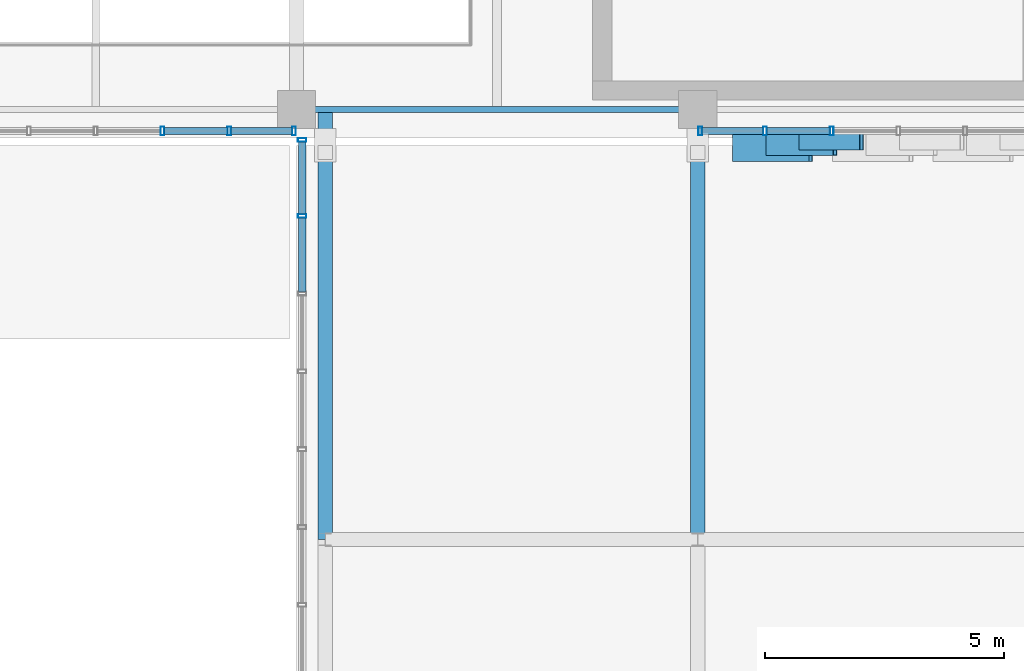
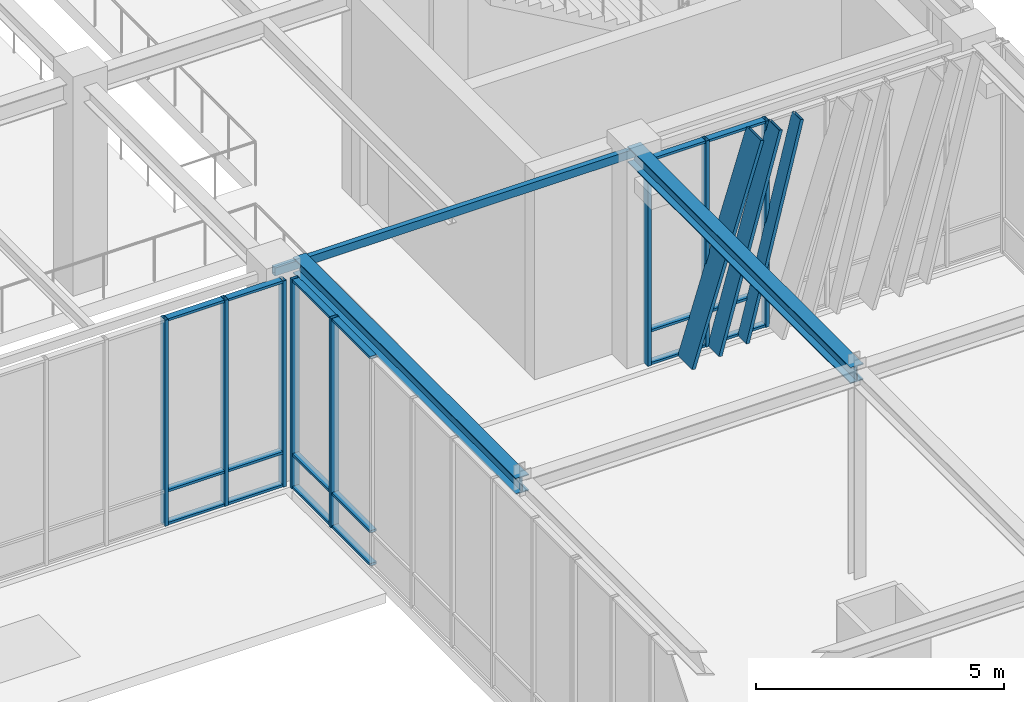
# One storey, part 27 of 139: 29 members, 3 beams, 3 elements without a shape of their own.
"""IFC4 building model written with IfcOpenShell, lengths in metres."""

from ifc_helpers import new_model, si_unit, direction, frame, origin, origin_2d, place, context, subcontext, project, spatial, hollow_rectangle, i_section, extrude, material, layer, layer_set, material_profile, profile_set, type_object, element, aggregate, save


model = new_model("IFC4")

# Units and contexts
model_context = context("Model", 3, precision=1e-05, world=origin(), true_north=direction((0.0, 1.0)))
body_context = subcontext(model_context, "Body", "Model", "MODEL_VIEW")
ifc_project = project(units=[si_unit("LENGTHUNIT", "METRE"), si_unit("AREAUNIT", "SQUARE_METRE"), si_unit("VOLUMEUNIT", "CUBIC_METRE"), si_unit("PLANEANGLEUNIT", "RADIAN"), si_unit("MASSUNIT", "GRAM", prefix="KILO")], contexts=[model_context])

# Site, building, storey
site_placement = place(None, origin())
site = spatial("IfcSite", under=ifc_project, at=site_placement, CompositionType="ELEMENT")
building_placement = place(site_placement, origin())
building = spatial("IfcBuilding", under=site, at=building_placement, Name="Zayran Congress Hotel", CompositionType="ELEMENT")
storey_placement = place(building_placement, frame((0.0, 0.0, 5.39990234375)))
storey = spatial("IfcBuildingStorey", under=building, at=storey_placement, Name="L01", CompositionType="ELEMENT", Elevation=5.39990234375)

# Beams
ifc_material_1 = material(Name="Steel S355", Category="steel")
ifc_material_profile_1 = material_profile(ifc_material_1, i_section(OverallWidth=0.300048828125, OverallDepth=0.39990234375, WebThickness=0.013427734375, FlangeThickness=0.02392578125, at=origin_2d()), Name="HEB 400")
ifc_profile_set_1 = profile_set([ifc_material_profile_1], Name="Steel S355")
beam_type_1 = type_object("IfcBeamType", Name="TP-BM-10", PredefinedType="BEAM", material=ifc_profile_set_1)
for number, where, z_axis, x_axis, name in (
    (1, (76.199951171875, 59.199951171875, 4.960205078125), (0.0, 1.0, 0.0), (-1.0, 0.0, 0.0), "BM-BR2Y-L01-2467"),
    (2, (84.0, 59.199951171875, 4.960205078125), (0.0, 1.0, 0.0), (-1.0, 0.0, 0.0), "BM-BR2Y-L01-2471"),
):
    element("IfcBeam", number, at=place(storey_placement, frame(where, z_axis=z_axis, x_axis=x_axis)), inside=storey, type_object=beam_type_1, Name=name, PredefinedType="BEAM", context=body_context, shape_type="SweptSolid", body=[
        extrude(i_section(OverallWidth=0.300048828125, OverallDepth=0.39990234375, WebThickness=0.013427734375, FlangeThickness=0.02392578125, at=origin_2d()), origin(), (0.0, 0.0, 1.0), 9.0),
    ])
ifc_material_profile_2 = material_profile(ifc_material_1, hollow_rectangle(XDim=0.1201171875, YDim=0.199951171875, WallThickness=0.008056640625, at=origin_2d()), Name="RHS 200x120x8")
ifc_profile_set_2 = profile_set([ifc_material_profile_2], Name="Steel S355")
beam_type_2 = type_object("IfcBeamType", Name="TP-SP-02", PredefinedType="SPANDREL", material=ifc_profile_set_2)
beam_placement = place(storey_placement, frame((75.60009765625, 68.199951171875, 4.97998046875), z_axis=(1.0, 0.0, 0.0), x_axis=(0.0, 1.0, 0.0)))
element("IfcBeam", 3, at=beam_placement, inside=storey, type_object=beam_type_2, Name="BM-V1-L01-0521", PredefinedType="SPANDREL", context=body_context, shape_type="SweptSolid", body=[
    extrude(hollow_rectangle(XDim=0.1201171875, YDim=0.199951171875, WallThickness=0.008056640625, at=origin_2d()), origin(), (0.0, 0.0, 1.0), 8.39990234375),
])

# Curtain wall, members
ifc_material_2 = material(Name="Anodised aluminium and low-E insulated glass", Category="aluminium")
ifc_layer_1 = layer(ifc_material_2, 0.179931640625)
ifc_layer_set_1 = layer_set([ifc_layer_1], Name="Anodised aluminium and low-E insulated glass")
curtain_wall_type_1 = type_object("IfcCurtainWallType", Name="CW-V1S-L01-CW-12-8380-5080", PredefinedType="USERDEFINED", material=ifc_layer_set_1)
curtain_wall_1_placement = place(storey_placement, origin())
curtain_wall_1 = element("IfcCurtainWall", 4, at=curtain_wall_1_placement, inside=storey, type_object=curtain_wall_type_1, Name="CW-V1S-L01-7", ObjectType="CURTAIN WALL", PredefinedType="USERDEFINED")
ifc_material_3 = material(Name="Anodised aluminium framing", Category="aluminium")
ifc_material_profile_3 = material_profile(ifc_material_3, hollow_rectangle(XDim=0.080078125, YDim=0.179931640625, WallThickness=0.0048828125, at=origin_2d()), Name="RHS 180x80x5")
ifc_profile_set_3 = profile_set([ifc_material_profile_3], Name="Anodised aluminium framing")
member_type_1 = type_object("IfcMemberType", Name="TP-CWM-01", PredefinedType="MULLION", material=ifc_profile_set_3)
member_1_placement = place(storey_placement, frame((72.796630859375, 67.75, 0.0), z_axis=(0.0, 0.0, 1.0), x_axis=(1.0, 0.0, 0.0)))
member_1 = element("IfcMember", 5, at=member_1_placement, type_object=member_type_1, Name="CW-V1S-L01-7-M04", PredefinedType="MULLION", context=body_context, shape_type="SweptSolid", body=[
    extrude(hollow_rectangle(XDim=0.080078125, YDim=0.179931640625, WallThickness=0.0048828125, at=origin_2d()), origin(), (0.0, 0.0, 1.0), 5.080078125),
])
member_2_placement = place(storey_placement, frame((74.193359375, 67.75, 0.0), z_axis=(0.0, 0.0, 1.0), x_axis=(1.0, 0.0, 0.0)))
member_2 = element("IfcMember", 6, at=member_2_placement, type_object=member_type_1, Name="CW-V1S-L01-7-M05", PredefinedType="MULLION", context=body_context, shape_type="SweptSolid", body=[
    extrude(hollow_rectangle(XDim=0.080078125, YDim=0.179931640625, WallThickness=0.0048828125, at=origin_2d()), origin(), (0.0, 0.0, 1.0), 5.080078125),
])
member_3_placement = place(storey_placement, frame((75.550048828125, 67.75, 0.0), z_axis=(0.0, 0.0, 1.0), x_axis=(1.0, 0.0, 0.0)))
member_3 = element("IfcMember", 7, at=member_3_placement, type_object=member_type_1, Name="CW-V1S-L01-7-M06", PredefinedType="MULLION", context=body_context, shape_type="SweptSolid", body=[
    extrude(hollow_rectangle(XDim=0.080078125, YDim=0.179931640625, WallThickness=0.0048828125, at=origin_2d()), origin(), (0.0, 0.0, 1.0), 5.080078125),
])

ifc_layer_2 = layer(ifc_material_2, 0.179931640625)
ifc_layer_set_2 = layer_set([ifc_layer_2], Name="Anodised aluminium and low-E insulated glass")
curtain_wall_type_2 = type_object("IfcCurtainWallType", Name="CW-V1S-L01-CW-11-8380-5080", PredefinedType="USERDEFINED", material=ifc_layer_set_2)
curtain_wall_2_placement = place(storey_placement, origin())
curtain_wall_2 = element("IfcCurtainWall", 8, at=curtain_wall_2_placement, inside=storey, type_object=curtain_wall_type_2, Name="CW-V1S-L01-9", ObjectType="CURTAIN WALL", PredefinedType="USERDEFINED")
member_4_placement = place(storey_placement, frame((84.050048828125, 67.75, 0.0), z_axis=(0.0, 0.0, 1.0), x_axis=(1.0, 0.0, 0.0)))
member_4 = element("IfcMember", 9, at=member_4_placement, type_object=member_type_1, Name="CW-V1S-L01-9-M00", PredefinedType="MULLION", context=body_context, shape_type="SweptSolid", body=[
    extrude(hollow_rectangle(XDim=0.080078125, YDim=0.179931640625, WallThickness=0.0048828125, at=origin_2d()), origin(), (0.0, 0.0, 1.0), 5.080078125),
])
member_5_placement = place(storey_placement, frame((85.40673828125, 67.75, 0.0), z_axis=(0.0, 0.0, 1.0), x_axis=(1.0, 0.0, 0.0)))
member_5 = element("IfcMember", 10, at=member_5_placement, type_object=member_type_1, Name="CW-V1S-L01-9-M01", PredefinedType="MULLION", context=body_context, shape_type="SweptSolid", body=[
    extrude(hollow_rectangle(XDim=0.080078125, YDim=0.179931640625, WallThickness=0.0048828125, at=origin_2d()), origin(), (0.0, 0.0, 1.0), 5.080078125),
])
member_6_placement = place(storey_placement, frame((86.80322265625, 67.75, 0.0), z_axis=(0.0, 0.0, 1.0), x_axis=(1.0, 0.0, 0.0)))
member_6 = element("IfcMember", 11, at=member_6_placement, type_object=member_type_1, Name="CW-V1S-L01-9-M02", PredefinedType="MULLION", context=body_context, shape_type="SweptSolid", body=[
    extrude(hollow_rectangle(XDim=0.080078125, YDim=0.179931640625, WallThickness=0.0048828125, at=origin_2d()), origin(), (0.0, 0.0, 1.0), 5.080078125),
])

ifc_layer_3 = layer(ifc_material_2, 0.179931640625)
ifc_layer_set_3 = layer_set([ifc_layer_3], Name="Anodised aluminium and low-E insulated glass")
curtain_wall_type_3 = type_object("IfcCurtainWallType", Name="CW-BR2-L01-CW-BR2-11400-5160", PredefinedType="USERDEFINED", material=ifc_layer_set_3)
curtain_wall_3_placement = place(storey_placement, origin())
curtain_wall_3 = element("IfcCurtainWall", 12, at=curtain_wall_3_placement, inside=storey, type_object=curtain_wall_type_3, Name="CW-BR2W-L01-2", ObjectType="CURTAIN WALL", PredefinedType="USERDEFINED")
member_7_placement = place(storey_placement, frame((75.719970703125, 67.56005859375, 0.0), z_axis=(0.0, 0.0, 1.0), x_axis=(0.0, 1.0, 0.0)))
member_7 = element("IfcMember", 13, at=member_7_placement, type_object=member_type_1, Name="CW-BR2W-L01-2-M00", PredefinedType="MULLION", context=body_context, shape_type="SweptSolid", body=[
    extrude(hollow_rectangle(XDim=0.080078125, YDim=0.179931640625, WallThickness=0.0048828125, at=origin_2d()), origin(), (0.0, 0.0, 1.0), 5.16015625),
])
member_8_placement = place(storey_placement, frame((75.719970703125, 65.971435546875, 0.0), z_axis=(0.0, 0.0, 1.0), x_axis=(0.0, 1.0, 0.0)))
member_8 = element("IfcMember", 14, at=member_8_placement, type_object=member_type_1, Name="CW-BR2W-L01-2-M01", PredefinedType="MULLION", context=body_context, shape_type="SweptSolid", body=[
    extrude(hollow_rectangle(XDim=0.080078125, YDim=0.179931640625, WallThickness=0.0048828125, at=origin_2d()), origin(), (0.0, 0.0, 1.0), 5.16015625),
])

# Member
ifc_material_profile_4 = material_profile(ifc_material_3, hollow_rectangle(XDim=0.06005859375, YDim=0.14990234375, WallThickness=0.00390625, at=origin_2d()), Name="RHS 150x60x4")
ifc_profile_set_4 = profile_set([ifc_material_profile_4], Name="Anodised aluminium framing")
member_type_2 = type_object("IfcMemberType", Name="TP-CWT-01", PredefinedType="USERDEFINED", material=ifc_profile_set_4)
member_9_placement = place(storey_placement, frame((72.836669921875, 67.75, 0.030029296875), z_axis=(1.0, 0.0, 0.0), x_axis=(0.0, 0.0, 1.0)))
member_9 = element("IfcMember", 15, at=member_9_placement, type_object=member_type_2, Name="CW-V1S-L01-7-T04-0", ObjectType="TRANSOM", PredefinedType="USERDEFINED", context=body_context, shape_type="SweptSolid", body=[
    extrude(hollow_rectangle(XDim=0.06005859375, YDim=0.14990234375, WallThickness=0.00390625, at=origin_2d()), origin(), (0.0, 0.0, 1.0), 1.316650390625),
])

member_10_placement = place(storey_placement, frame((72.836669921875, 67.75, 0.840087890625), z_axis=(1.0, 0.0, 0.0), x_axis=(0.0, 0.0, 1.0)))
member_10 = element("IfcMember", 16, at=member_10_placement, type_object=member_type_2, Name="CW-V1S-L01-7-T04-1", ObjectType="TRANSOM", PredefinedType="USERDEFINED", context=body_context, shape_type="SweptSolid", body=[
    extrude(hollow_rectangle(XDim=0.06005859375, YDim=0.14990234375, WallThickness=0.00390625, at=origin_2d()), origin(), (0.0, 0.0, 1.0), 1.316650390625),
])

member_11_placement = place(storey_placement, frame((72.836669921875, 67.75, 5.050048828125), z_axis=(1.0, 0.0, 0.0), x_axis=(0.0, 0.0, 1.0)))
member_11 = element("IfcMember", 17, at=member_11_placement, type_object=member_type_2, Name="CW-V1S-L01-7-T04-2", ObjectType="TRANSOM", PredefinedType="USERDEFINED", context=body_context, shape_type="SweptSolid", body=[
    extrude(hollow_rectangle(XDim=0.06005859375, YDim=0.14990234375, WallThickness=0.00390625, at=origin_2d()), origin(), (0.0, 0.0, 1.0), 1.316650390625),
])

member_12_placement = place(storey_placement, frame((74.2333984375, 67.75, 0.030029296875), z_axis=(1.0, 0.0, 0.0), x_axis=(0.0, 0.0, 1.0)))
member_12 = element("IfcMember", 18, at=member_12_placement, type_object=member_type_2, Name="CW-V1S-L01-7-T05-0", ObjectType="TRANSOM", PredefinedType="USERDEFINED", context=body_context, shape_type="SweptSolid", body=[
    extrude(hollow_rectangle(XDim=0.06005859375, YDim=0.14990234375, WallThickness=0.00390625, at=origin_2d()), origin(), (0.0, 0.0, 1.0), 1.276611328125),
])

member_13_placement = place(storey_placement, frame((74.2333984375, 67.75, 0.840087890625), z_axis=(1.0, 0.0, 0.0), x_axis=(0.0, 0.0, 1.0)))
member_13 = element("IfcMember", 19, at=member_13_placement, type_object=member_type_2, Name="CW-V1S-L01-7-T05-1", ObjectType="TRANSOM", PredefinedType="USERDEFINED", context=body_context, shape_type="SweptSolid", body=[
    extrude(hollow_rectangle(XDim=0.06005859375, YDim=0.14990234375, WallThickness=0.00390625, at=origin_2d()), origin(), (0.0, 0.0, 1.0), 1.276611328125),
])

member_14_placement = place(storey_placement, frame((74.2333984375, 67.75, 5.050048828125), z_axis=(1.0, 0.0, 0.0), x_axis=(0.0, 0.0, 1.0)))
member_14 = element("IfcMember", 20, at=member_14_placement, type_object=member_type_2, Name="CW-V1S-L01-7-T05-2", ObjectType="TRANSOM", PredefinedType="USERDEFINED", context=body_context, shape_type="SweptSolid", body=[
    extrude(hollow_rectangle(XDim=0.06005859375, YDim=0.14990234375, WallThickness=0.00390625, at=origin_2d()), origin(), (0.0, 0.0, 1.0), 1.276611328125),
])

aggregate(curtain_wall_1, [member_1, member_2, member_3, member_9, member_10, member_11, member_12, member_13, member_14])

member_15_placement = place(storey_placement, frame((84.090087890625, 67.75, 0.030029296875), z_axis=(1.0, 0.0, 0.0), x_axis=(0.0, 0.0, 1.0)))
member_15 = element("IfcMember", 21, at=member_15_placement, type_object=member_type_2, Name="CW-V1S-L01-9-T00-0", ObjectType="TRANSOM", PredefinedType="USERDEFINED", context=body_context, shape_type="SweptSolid", body=[
    extrude(hollow_rectangle(XDim=0.06005859375, YDim=0.14990234375, WallThickness=0.00390625, at=origin_2d()), origin(), (0.0, 0.0, 1.0), 1.276611328125),
])

member_16_placement = place(storey_placement, frame((84.090087890625, 67.75, 0.840087890625), z_axis=(1.0, 0.0, 0.0), x_axis=(0.0, 0.0, 1.0)))
member_16 = element("IfcMember", 22, at=member_16_placement, type_object=member_type_2, Name="CW-V1S-L01-9-T00-1", ObjectType="TRANSOM", PredefinedType="USERDEFINED", context=body_context, shape_type="SweptSolid", body=[
    extrude(hollow_rectangle(XDim=0.06005859375, YDim=0.14990234375, WallThickness=0.00390625, at=origin_2d()), origin(), (0.0, 0.0, 1.0), 1.276611328125),
])

member_17_placement = place(storey_placement, frame((84.090087890625, 67.75, 5.050048828125), z_axis=(1.0, 0.0, 0.0), x_axis=(0.0, 0.0, 1.0)))
member_17 = element("IfcMember", 23, at=member_17_placement, type_object=member_type_2, Name="CW-V1S-L01-9-T00-2", ObjectType="TRANSOM", PredefinedType="USERDEFINED", context=body_context, shape_type="SweptSolid", body=[
    extrude(hollow_rectangle(XDim=0.06005859375, YDim=0.14990234375, WallThickness=0.00390625, at=origin_2d()), origin(), (0.0, 0.0, 1.0), 1.276611328125),
])

member_18_placement = place(storey_placement, frame((85.44677734375, 67.75, 0.030029296875), z_axis=(1.0, 0.0, 0.0), x_axis=(0.0, 0.0, 1.0)))
member_18 = element("IfcMember", 24, at=member_18_placement, type_object=member_type_2, Name="CW-V1S-L01-9-T01-0", ObjectType="TRANSOM", PredefinedType="USERDEFINED", context=body_context, shape_type="SweptSolid", body=[
    extrude(hollow_rectangle(XDim=0.06005859375, YDim=0.14990234375, WallThickness=0.00390625, at=origin_2d()), origin(), (0.0, 0.0, 1.0), 1.31640625),
])

member_19_placement = place(storey_placement, frame((85.44677734375, 67.75, 0.840087890625), z_axis=(1.0, 0.0, 0.0), x_axis=(0.0, 0.0, 1.0)))
member_19 = element("IfcMember", 25, at=member_19_placement, type_object=member_type_2, Name="CW-V1S-L01-9-T01-1", ObjectType="TRANSOM", PredefinedType="USERDEFINED", context=body_context, shape_type="SweptSolid", body=[
    extrude(hollow_rectangle(XDim=0.06005859375, YDim=0.14990234375, WallThickness=0.00390625, at=origin_2d()), origin(), (0.0, 0.0, 1.0), 1.31640625),
])

member_20_placement = place(storey_placement, frame((85.44677734375, 67.75, 5.050048828125), z_axis=(1.0, 0.0, 0.0), x_axis=(0.0, 0.0, 1.0)))
member_20 = element("IfcMember", 26, at=member_20_placement, type_object=member_type_2, Name="CW-V1S-L01-9-T01-2", ObjectType="TRANSOM", PredefinedType="USERDEFINED", context=body_context, shape_type="SweptSolid", body=[
    extrude(hollow_rectangle(XDim=0.06005859375, YDim=0.14990234375, WallThickness=0.00390625, at=origin_2d()), origin(), (0.0, 0.0, 1.0), 1.31640625),
])

member_21_placement = place(storey_placement, frame((75.719970703125, 67.52001953125, 0.030029296875), z_axis=(0.0, -1.0, 0.0), x_axis=(0.0, 0.0, 1.0)))
member_21 = element("IfcMember", 27, at=member_21_placement, type_object=member_type_2, Name="CW-BR2W-L01-2-T00-0", ObjectType="TRANSOM", PredefinedType="USERDEFINED", context=body_context, shape_type="SweptSolid", body=[
    extrude(hollow_rectangle(XDim=0.06005859375, YDim=0.14990234375, WallThickness=0.00390625, at=origin_2d()), origin(), (0.0, 0.0, 1.0), 1.508544921875),
])

member_22_placement = place(storey_placement, frame((75.719970703125, 67.52001953125, 0.840087890625), z_axis=(0.0, -1.0, 0.0), x_axis=(0.0, 0.0, 1.0)))
member_22 = element("IfcMember", 28, at=member_22_placement, type_object=member_type_2, Name="CW-BR2W-L01-2-T00-1", ObjectType="TRANSOM", PredefinedType="USERDEFINED", context=body_context, shape_type="SweptSolid", body=[
    extrude(hollow_rectangle(XDim=0.06005859375, YDim=0.14990234375, WallThickness=0.00390625, at=origin_2d()), origin(), (0.0, 0.0, 1.0), 1.508544921875),
])

member_23_placement = place(storey_placement, frame((75.719970703125, 67.52001953125, 5.130126953125), z_axis=(0.0, -1.0, 0.0), x_axis=(0.0, 0.0, 1.0)))
member_23 = element("IfcMember", 29, at=member_23_placement, type_object=member_type_2, Name="CW-BR2W-L01-2-T00-2", ObjectType="TRANSOM", PredefinedType="USERDEFINED", context=body_context, shape_type="SweptSolid", body=[
    extrude(hollow_rectangle(XDim=0.06005859375, YDim=0.14990234375, WallThickness=0.00390625, at=origin_2d()), origin(), (0.0, 0.0, 1.0), 1.508544921875),
])

member_24_placement = place(storey_placement, frame((75.719970703125, 65.931396484375, 0.030029296875), z_axis=(0.0, -1.0, 0.0), x_axis=(0.0, 0.0, 1.0)))
member_24 = element("IfcMember", 30, at=member_24_placement, type_object=member_type_2, Name="CW-BR2W-L01-2-T01-0", ObjectType="TRANSOM", PredefinedType="USERDEFINED", context=body_context, shape_type="SweptSolid", body=[
    extrude(hollow_rectangle(XDim=0.06005859375, YDim=0.14990234375, WallThickness=0.00390625, at=origin_2d()), origin(), (0.0, 0.0, 1.0), 1.548583984375),
])

member_25_placement = place(storey_placement, frame((75.719970703125, 65.931396484375, 0.840087890625), z_axis=(0.0, -1.0, 0.0), x_axis=(0.0, 0.0, 1.0)))
member_25 = element("IfcMember", 31, at=member_25_placement, type_object=member_type_2, Name="CW-BR2W-L01-2-T01-1", ObjectType="TRANSOM", PredefinedType="USERDEFINED", context=body_context, shape_type="SweptSolid", body=[
    extrude(hollow_rectangle(XDim=0.06005859375, YDim=0.14990234375, WallThickness=0.00390625, at=origin_2d()), origin(), (0.0, 0.0, 1.0), 1.548583984375),
])

member_26_placement = place(storey_placement, frame((75.719970703125, 65.931396484375, 5.130126953125), z_axis=(0.0, -1.0, 0.0), x_axis=(0.0, 0.0, 1.0)))
member_26 = element("IfcMember", 32, at=member_26_placement, type_object=member_type_2, Name="CW-BR2W-L01-2-T01-2", ObjectType="TRANSOM", PredefinedType="USERDEFINED", context=body_context, shape_type="SweptSolid", body=[
    extrude(hollow_rectangle(XDim=0.06005859375, YDim=0.14990234375, WallThickness=0.00390625, at=origin_2d()), origin(), (0.0, 0.0, 1.0), 1.548583984375),
])

aggregate(curtain_wall_3, [member_7, member_8, member_21, member_22, member_23, member_24, member_25, member_26])

ifc_material_4 = material(Name="Warm bronze anodised aluminium", Category="aluminium")
ifc_material_profile_5 = material_profile(ifc_material_4, hollow_rectangle(XDim=0.080078125, YDim=0.580078125, WallThickness=0.006103515625, at=origin_2d()), Name="RHS 580x80x6")
ifc_profile_set_5 = profile_set([ifc_material_profile_5], Name="Warm bronze anodised aluminium")
member_type_3 = type_object("IfcMemberType", Name="TP-RFN-01", PredefinedType="MULLION", material=ifc_profile_set_5)
member_27_placement = place(storey_placement, frame((84.760009765625, 67.39990234375, 0.0), z_axis=(0.300716755525, 0.0, 0.953713496259), x_axis=(-0.953713496259, 0.0, 0.300716755525)))
member_27 = element("IfcMember", 33, at=member_27_placement, type_object=member_type_3, Name="Slanting Reed Mullion CW-11-01", PredefinedType="MULLION", context=body_context, shape_type="SweptSolid", body=[
    extrude(hollow_rectangle(XDim=0.080078125, YDim=0.580078125, WallThickness=0.006103515625, at=origin_2d()), origin(), (0.0, 0.0, 1.0), 5.32666015625),
])

ifc_material_profile_6 = material_profile(ifc_material_4, hollow_rectangle(XDim=0.080078125, YDim=0.449951171875, WallThickness=0.006103515625, at=origin_2d()), Name="RHS 450x80x6")
ifc_profile_set_6 = profile_set([ifc_material_profile_6], Name="Warm bronze anodised aluminium")
member_type_4 = type_object("IfcMemberType", Name="TP-RFN-02", PredefinedType="MULLION", material=ifc_profile_set_6)
member_28_placement = place(storey_placement, frame((85.4599609375, 67.465087890625, 0.0), z_axis=(0.267256905477, 0.0, 0.96362531436), x_axis=(-0.96362531436, 0.0, 0.267256905477)))
member_28 = element("IfcMember", 34, at=member_28_placement, type_object=member_type_4, Name="Slanting Reed Mullion CW-11-02", PredefinedType="MULLION", context=body_context, shape_type="SweptSolid", body=[
    extrude(hollow_rectangle(XDim=0.080078125, YDim=0.449951171875, WallThickness=0.006103515625, at=origin_2d()), origin(), (0.0, 0.0, 1.0), 5.271728515625),
])

ifc_material_profile_7 = material_profile(ifc_material_4, hollow_rectangle(XDim=0.080078125, YDim=0.340087890625, WallThickness=0.006103515625, at=origin_2d()), Name="RHS 340x80x6")
ifc_profile_set_7 = profile_set([ifc_material_profile_7], Name="Warm bronze anodised aluminium")
member_type_5 = type_object("IfcMemberType", Name="TP-RFN-03", PredefinedType="MULLION", material=ifc_profile_set_7)
member_29_placement = place(storey_placement, frame((86.159912109375, 67.52001953125, 0.0), z_axis=(0.241921145618, 0.0, 0.970295913267), x_axis=(-0.970295913267, 0.0, 0.241921145618)))
member_29 = element("IfcMember", 35, at=member_29_placement, type_object=member_type_5, Name="Slanting Reed Mullion CW-11-03", PredefinedType="MULLION", context=body_context, shape_type="SweptSolid", body=[
    extrude(hollow_rectangle(XDim=0.080078125, YDim=0.340087890625, WallThickness=0.006103515625, at=origin_2d()), origin(), (0.0, 0.0, 1.0), 5.235595703125),
])

aggregate(curtain_wall_2, [member_4, member_5, member_6, member_15, member_16, member_17, member_18, member_19, member_20, member_27, member_28, member_29])

save(model, "model.ifc")
